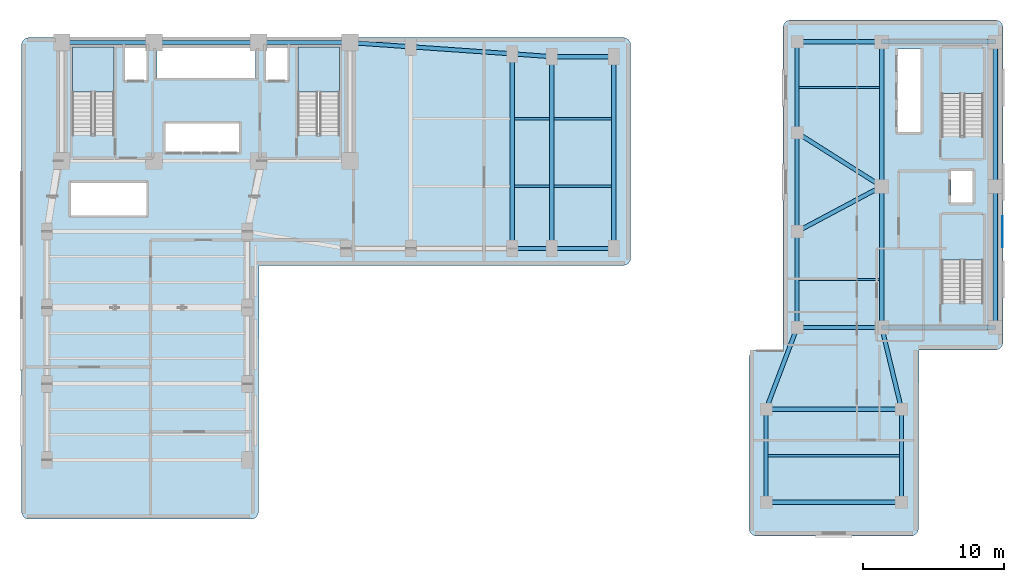
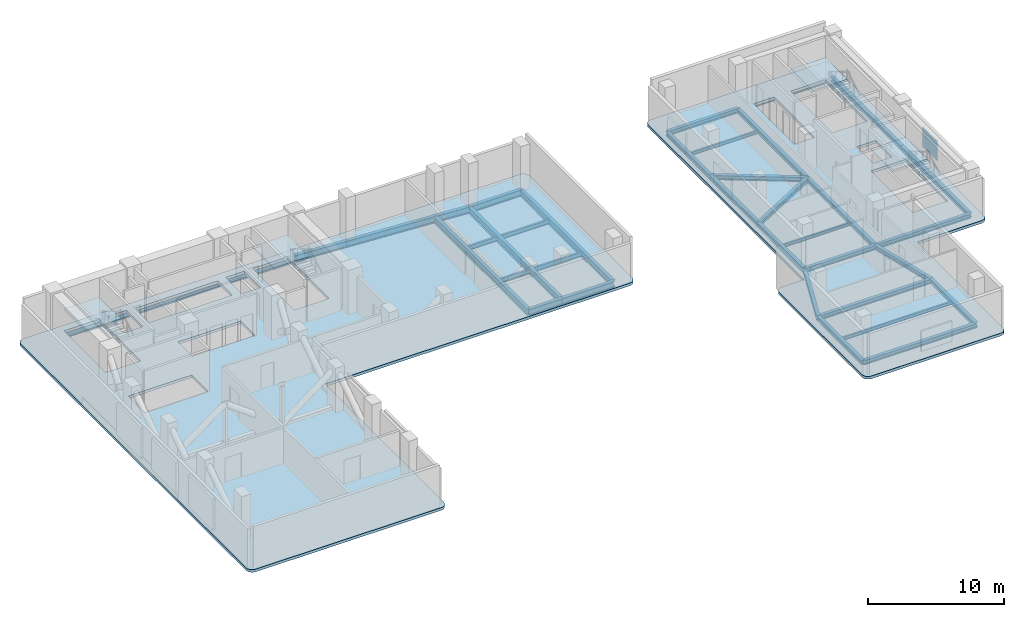
# One storey, part 3 of 9: 38 beams, 6 slabs, 1 plate, 4 elements without a shape of their own.
"""IFC4 building model written with IfcOpenShell, lengths in metres."""

from ifc_helpers import new_model, si_unit, direction, frame, origin, origin_2d, place, context, subcontext, project, spatial, polyline, rectangle, i_section, outline, extrude, material, layer, layer_set, material_profile, profile_set, type_object, element, aggregate, save


model = new_model("IFC4")

# Units and contexts
model_context = context("Model", 3, precision=1e-05, world=origin(), true_north=direction((0.0, 1.0)))
body_context = subcontext(model_context, "Body", "Model", "MODEL_VIEW")
ifc_project = project(units=[si_unit("LENGTHUNIT", "METRE"), si_unit("AREAUNIT", "SQUARE_METRE"), si_unit("VOLUMEUNIT", "CUBIC_METRE"), si_unit("PLANEANGLEUNIT", "RADIAN"), si_unit("MASSUNIT", "GRAM", prefix="KILO")], contexts=[model_context])

# Site, building, storey
site_placement = place(None, origin())
site = spatial("IfcSite", under=ifc_project, at=site_placement, CompositionType="ELEMENT")
building_placement = place(site_placement, origin())
building = spatial("IfcBuilding", under=site, at=building_placement, Name="Kuzgunbayir Cultural Tower", CompositionType="ELEMENT")
storey_placement = place(building_placement, frame((0.0, 0.0, 79.39990234375)))
storey = spatial("IfcBuildingStorey", under=building, at=storey_placement, Name="L22", CompositionType="ELEMENT", Elevation=79.39990234375)

# Beams
ifc_material_1 = material(Name="Steel S355J2", Category="steel")
ifc_material_profile_1 = material_profile(ifc_material_1, i_section(OverallWidth=0.300048828125, OverallDepth=0.39990234375, WebThickness=0.013427734375, FlangeThickness=0.02392578125, FilletRadius=0.027099609375, at=origin_2d()), Name="HEB 400")
ifc_profile_set_1 = profile_set([ifc_material_profile_1], Name="Steel S355J2")
beam_type_1 = type_object("IfcBeamType", Name="BM-EXT-HEB400", PredefinedType="BEAM", material=ifc_profile_set_1)
beam_1_placement = place(storey_placement, frame((58.60009765625, 22.0, -0.43994140625), z_axis=(0.0, 1.0, 0.0), x_axis=(-1.0, 0.0, 0.0)))
element("IfcBeam", 1, at=beam_1_placement, inside=storey, type_object=beam_type_1, Name="L22 Companion West Girder", PredefinedType="BEAM", context=body_context, shape_type="SweptSolid", body=[
    extrude(i_section(OverallWidth=0.300048828125, OverallDepth=0.39990234375, WebThickness=0.013427734375, FlangeThickness=0.02392578125, FilletRadius=0.027099609375, at=origin_2d()), origin(), (0.0, 0.0, 1.0), 6.800048828125),
])
beam_2_placement = place(storey_placement, frame((58.60009765625, 28.800048828125, -0.43994140625), z_axis=(0.0, 1.0, 0.0), x_axis=(-1.0, 0.0, 0.0)))
element("IfcBeam", 2, at=beam_2_placement, inside=storey, type_object=beam_type_1, Name="L22 Companion West Girder", PredefinedType="BEAM", context=body_context, shape_type="SweptSolid", body=[
    extrude(i_section(OverallWidth=0.300048828125, OverallDepth=0.39990234375, WebThickness=0.013427734375, FlangeThickness=0.02392578125, FilletRadius=0.027099609375, at=origin_2d()), origin(), (0.0, 0.0, 1.0), 7.0),
])
beam_3_placement = place(storey_placement, frame((58.60009765625, 35.800048828125, -0.43994140625), z_axis=(0.0, 1.0, 0.0), x_axis=(-1.0, 0.0, 0.0)))
element("IfcBeam", 3, at=beam_3_placement, inside=storey, type_object=beam_type_1, Name="L22 Companion West Girder", PredefinedType="BEAM", context=body_context, shape_type="SweptSolid", body=[
    extrude(i_section(OverallWidth=0.300048828125, OverallDepth=0.39990234375, WebThickness=0.013427734375, FlangeThickness=0.02392578125, FilletRadius=0.027099609375, at=origin_2d()), origin(), (0.0, 0.0, 1.0), 6.449951171875),
])
beam_4_placement = place(storey_placement, frame((56.39990234375, 9.60009765625, -0.43994140625), z_axis=(0.0, 1.0, 0.0), x_axis=(-1.0, 0.0, 0.0)))
element("IfcBeam", 4, at=beam_4_placement, inside=storey, type_object=beam_type_1, Name="L22 Companion Wing B West Girder", PredefinedType="BEAM", context=body_context, shape_type="SweptSolid", body=[
    extrude(i_section(OverallWidth=0.300048828125, OverallDepth=0.39990234375, WebThickness=0.013427734375, FlangeThickness=0.02392578125, FilletRadius=0.027099609375, at=origin_2d()), origin(), (0.0, 0.0, 1.0), 6.599853515625),
])
beam_5_placement = place(storey_placement, frame((56.39990234375, 16.199951171875, -0.43994140625), z_axis=(0.354679148754, 0.93498807556, 0.0), x_axis=(-0.93498807556, 0.354679148754, 0.0)))
element("IfcBeam", 5, at=beam_5_placement, inside=storey, type_object=beam_type_1, Name="L22 Companion Wing B Floor Girder W", PredefinedType="BEAM", context=body_context, shape_type="SweptSolid", body=[
    extrude(i_section(OverallWidth=0.300048828125, OverallDepth=0.39990234375, WebThickness=0.013427734375, FlangeThickness=0.02392578125, FilletRadius=0.027099609375, at=origin_2d()), origin(), (0.0, 0.0, 1.0), 6.203369140625),
])
beam_6_placement = place(storey_placement, frame((66.0, 9.60009765625, -0.43994140625), z_axis=(0.0, 1.0, 0.0), x_axis=(-1.0, 0.0, 0.0)))
element("IfcBeam", 6, at=beam_6_placement, inside=storey, type_object=beam_type_1, Name="L22 Companion Wing B East Girder", PredefinedType="BEAM", context=body_context, shape_type="SweptSolid", body=[
    extrude(i_section(OverallWidth=0.300048828125, OverallDepth=0.39990234375, WebThickness=0.013427734375, FlangeThickness=0.02392578125, FilletRadius=0.027099609375, at=origin_2d()), origin(), (0.0, 0.0, 1.0), 6.599853515625),
])
beam_7_placement = place(storey_placement, frame((66.0, 16.199951171875, -0.43994140625), z_axis=(-0.234623200431, 0.972086392158, 0.0), x_axis=(-0.972086392158, -0.234623200431, 0.0)))
element("IfcBeam", 7, at=beam_7_placement, inside=storey, type_object=beam_type_1, Name="L22 Companion Wing B Floor Girder E", PredefinedType="BEAM", context=body_context, shape_type="SweptSolid", body=[
    extrude(i_section(OverallWidth=0.300048828125, OverallDepth=0.39990234375, WebThickness=0.013427734375, FlangeThickness=0.02392578125, FilletRadius=0.027099609375, at=origin_2d()), origin(), (0.0, 0.0, 1.0), 5.966552734375),
])
beam_8_placement = place(storey_placement, frame((56.39990234375, 9.60009765625, -0.43994140625), z_axis=(1.0, 0.0, 0.0), x_axis=(0.0, 1.0, 0.0)))
element("IfcBeam", 8, at=beam_8_placement, inside=storey, type_object=beam_type_1, Name="L22 Companion Wing B South Girder", PredefinedType="BEAM", context=body_context, shape_type="SweptSolid", body=[
    extrude(i_section(OverallWidth=0.300048828125, OverallDepth=0.39990234375, WebThickness=0.013427734375, FlangeThickness=0.02392578125, FilletRadius=0.027099609375, at=origin_2d()), origin(), (0.0, 0.0, 1.0), 9.60009765625),
])
ifc_material_profile_2 = material_profile(ifc_material_1, i_section(OverallWidth=0.300048828125, OverallDepth=0.60009765625, WebThickness=0.015380859375, FlangeThickness=0.030029296875, FilletRadius=0.027099609375, at=origin_2d()), Name="HEB 600")
ifc_profile_set_2 = profile_set([ifc_material_profile_2], Name="Steel S355J2")
beam_type_2 = type_object("IfcBeamType", Name="BM-EXT-HEB600", PredefinedType="BEAM", material=ifc_profile_set_2)
beam_9_placement = place(storey_placement, frame((26.89990234375, 42.199951171875, -0.539794921875), z_axis=(0.997574369175, -0.069608749203, 0.0), x_axis=(0.069608749203, 0.997574369175, 0.0)))
element("IfcBeam", 9, at=beam_9_placement, inside=storey, type_object=beam_type_2, Name="L22 Wing B North Girder 1", PredefinedType="BEAM", context=body_context, shape_type="SweptSolid", body=[
    extrude(i_section(OverallWidth=0.300048828125, OverallDepth=0.60009765625, WebThickness=0.015380859375, FlangeThickness=0.030029296875, FilletRadius=0.027099609375, at=origin_2d()), origin(), (0.0, 0.0, 1.0), 4.310546875),
])
beam_10_placement = place(storey_placement, frame((31.199951171875, 41.89990234375, -0.539794921875), z_axis=(0.997597388498, -0.069278066245, 0.0), x_axis=(0.069278066245, 0.997597388498, 0.0)))
element("IfcBeam", 10, at=beam_10_placement, inside=storey, type_object=beam_type_2, Name="L22 Wing B North Girder 2", PredefinedType="BEAM", context=body_context, shape_type="SweptSolid", body=[
    extrude(i_section(OverallWidth=0.300048828125, OverallDepth=0.60009765625, WebThickness=0.015380859375, FlangeThickness=0.030029296875, FilletRadius=0.027099609375, at=origin_2d()), origin(), (0.0, 0.0, 1.0), 7.21728515625),
])
beam_11_placement = place(storey_placement, frame((38.39990234375, 27.60009765625, -0.539794921875), z_axis=(1.0, 0.0, 0.0), x_axis=(0.0, 1.0, 0.0)))
element("IfcBeam", 11, at=beam_11_placement, inside=storey, type_object=beam_type_2, Name="L22 Wing B South Girder 3", PredefinedType="BEAM", context=body_context, shape_type="SweptSolid", body=[
    extrude(i_section(OverallWidth=0.300048828125, OverallDepth=0.60009765625, WebThickness=0.015380859375, FlangeThickness=0.030029296875, FilletRadius=0.027099609375, at=origin_2d()), origin(), (0.0, 0.0, 1.0), 2.800048828125),
])
beam_12_placement = place(storey_placement, frame((38.39990234375, 41.39990234375, -0.539794921875), z_axis=(0.997460024076, -0.071228508128, 0.0), x_axis=(0.071228508128, 0.997460024076, 0.0)))
element("IfcBeam", 12, at=beam_12_placement, inside=storey, type_object=beam_type_2, Name="L22 Wing B North Girder 3", PredefinedType="BEAM", context=body_context, shape_type="SweptSolid", body=[
    extrude(i_section(OverallWidth=0.300048828125, OverallDepth=0.60009765625, WebThickness=0.015380859375, FlangeThickness=0.030029296875, FilletRadius=0.027099609375, at=origin_2d()), origin(), (0.0, 0.0, 1.0), 2.80712890625),
])
for number, where, z_axis, x_axis, name in (
    (13, (41.199951171875, 27.60009765625, -0.539794921875), (1.0, 0.0, 0.0), (0.0, 1.0, 0.0), "L22 Wing B South Girder 4"),
    (14, (41.199951171875, 41.199951171875, -0.539794921875), (1.0, 0.0, 0.0), (0.0, 1.0, 0.0), "L22 Wing B North Girder 4"),
):
    element("IfcBeam", number, at=place(storey_placement, frame(where, z_axis=z_axis, x_axis=x_axis)), inside=storey, type_object=beam_type_2, Name=name, PredefinedType="BEAM", context=body_context, shape_type="SweptSolid", body=[
        extrude(i_section(OverallWidth=0.300048828125, OverallDepth=0.60009765625, WebThickness=0.015380859375, FlangeThickness=0.030029296875, FilletRadius=0.027099609375, at=origin_2d()), origin(), (0.0, 0.0, 1.0), 4.400146484375),
    ])
ifc_material_profile_3 = material_profile(ifc_material_1, i_section(OverallWidth=0.300048828125, OverallDepth=0.39990234375, WebThickness=0.013427734375, FlangeThickness=0.02392578125, FilletRadius=0.027099609375, at=origin_2d()), Name="HEB 400")
ifc_profile_set_3 = profile_set([ifc_material_profile_3], Name="Steel S355J2")
beam_type_3 = type_object("IfcBeamType", Name="BM-GIR-HEB400", PredefinedType="BEAM", material=ifc_profile_set_3)
beam_13_placement = place(storey_placement, frame((58.60009765625, 22.0, -0.43994140625), z_axis=(1.0, 0.0, 0.0), x_axis=(0.0, 1.0, 0.0)))
element("IfcBeam", 15, at=beam_13_placement, inside=storey, type_object=beam_type_3, Name="L22 Companion Transverse Girder 1", PredefinedType="BEAM", context=body_context, shape_type="SweptSolid", body=[
    extrude(i_section(OverallWidth=0.300048828125, OverallDepth=0.39990234375, WebThickness=0.013427734375, FlangeThickness=0.02392578125, FilletRadius=0.027099609375, at=origin_2d()), origin(), (0.0, 0.0, 1.0), 6.0),
])
beam_14_placement = place(storey_placement, frame((58.60009765625, 28.800048828125, -0.43994140625), z_axis=(0.882355922736, 0.470582644828, 0.0), x_axis=(-0.470582644828, 0.882355922736, 0.0)))
element("IfcBeam", 16, at=beam_14_placement, inside=storey, type_object=beam_type_3, Name="L22 Companion Transverse Girder 2", PredefinedType="BEAM", context=body_context, shape_type="SweptSolid", body=[
    extrude(i_section(OverallWidth=0.300048828125, OverallDepth=0.39990234375, WebThickness=0.013427734375, FlangeThickness=0.02392578125, FilletRadius=0.027099609375, at=origin_2d()), origin(), (0.0, 0.0, 1.0), 6.800048828125),
])
beam_15_placement = place(storey_placement, frame((58.60009765625, 35.800048828125, -0.43994140625), z_axis=(0.844815967829, -0.535056988088, 0.0), x_axis=(0.535056988088, 0.844815967829, 0.0)))
element("IfcBeam", 17, at=beam_15_placement, inside=storey, type_object=beam_type_3, Name="L22 Companion Transverse Girder 3", PredefinedType="BEAM", context=body_context, shape_type="SweptSolid", body=[
    extrude(i_section(OverallWidth=0.300048828125, OverallDepth=0.39990234375, WebThickness=0.013427734375, FlangeThickness=0.02392578125, FilletRadius=0.027099609375, at=origin_2d()), origin(), (0.0, 0.0, 1.0), 7.10205078125),
])
beam_16_placement = place(storey_placement, frame((58.60009765625, 42.25, -0.43994140625), z_axis=(1.0, 0.0, 0.0), x_axis=(0.0, 1.0, 0.0)))
element("IfcBeam", 18, at=beam_16_placement, inside=storey, type_object=beam_type_3, Name="L22 Companion Transverse Girder 4", PredefinedType="BEAM", context=body_context, shape_type="SweptSolid", body=[
    extrude(i_section(OverallWidth=0.300048828125, OverallDepth=0.39990234375, WebThickness=0.013427734375, FlangeThickness=0.02392578125, FilletRadius=0.027099609375, at=origin_2d()), origin(), (0.0, 0.0, 1.0), 6.0),
])
beam_17_placement = place(storey_placement, frame((64.60009765625, 22.0, -0.43994140625), z_axis=(0.0, 1.0, 0.0), x_axis=(-1.0, 0.0, 0.0)))
element("IfcBeam", 19, at=beam_17_placement, inside=storey, type_object=beam_type_3, Name="L22 Companion Core West Girder 1", PredefinedType="BEAM", context=body_context, shape_type="SweptSolid", body=[
    extrude(i_section(OverallWidth=0.300048828125, OverallDepth=0.39990234375, WebThickness=0.013427734375, FlangeThickness=0.02392578125, FilletRadius=0.027099609375, at=origin_2d()), origin(), (0.0, 0.0, 1.0), 10.0),
])
beam_18_placement = place(storey_placement, frame((64.60009765625, 32.0, -0.43994140625), z_axis=(0.0, 1.0, 0.0), x_axis=(-1.0, 0.0, 0.0)))
element("IfcBeam", 20, at=beam_18_placement, inside=storey, type_object=beam_type_3, Name="L22 Companion Core West Girder 2", PredefinedType="BEAM", context=body_context, shape_type="SweptSolid", body=[
    extrude(i_section(OverallWidth=0.300048828125, OverallDepth=0.39990234375, WebThickness=0.013427734375, FlangeThickness=0.02392578125, FilletRadius=0.027099609375, at=origin_2d()), origin(), (0.0, 0.0, 1.0), 10.25),
])
beam_19_placement = place(storey_placement, frame((72.64990234375, 22.0, -0.43994140625), z_axis=(0.0, 1.0, 0.0), x_axis=(-1.0, 0.0, 0.0)))
element("IfcBeam", 21, at=beam_19_placement, inside=storey, type_object=beam_type_3, Name="L22 Companion Core East Girder 1", PredefinedType="BEAM", context=body_context, shape_type="SweptSolid", body=[
    extrude(i_section(OverallWidth=0.300048828125, OverallDepth=0.39990234375, WebThickness=0.013427734375, FlangeThickness=0.02392578125, FilletRadius=0.027099609375, at=origin_2d()), origin(), (0.0, 0.0, 1.0), 10.0),
])
beam_20_placement = place(storey_placement, frame((72.64990234375, 32.0, -0.43994140625), z_axis=(0.0, 1.0, 0.0), x_axis=(-1.0, 0.0, 0.0)))
element("IfcBeam", 22, at=beam_20_placement, inside=storey, type_object=beam_type_3, Name="L22 Companion Core East Girder 2", PredefinedType="BEAM", context=body_context, shape_type="SweptSolid", body=[
    extrude(i_section(OverallWidth=0.300048828125, OverallDepth=0.39990234375, WebThickness=0.013427734375, FlangeThickness=0.02392578125, FilletRadius=0.027099609375, at=origin_2d()), origin(), (0.0, 0.0, 1.0), 10.25),
])
for number, where, z_axis, x_axis, name in (
    (23, (64.60009765625, 22.0, -0.43994140625), (1.0, 0.0, 0.0), (0.0, 1.0, 0.0), "L22 Companion Core South Girder"),
    (24, (64.60009765625, 42.25, -0.43994140625), (1.0, 0.0, 0.0), (0.0, 1.0, 0.0), "L22 Companion Core North Girder"),
):
    element("IfcBeam", number, at=place(storey_placement, frame(where, z_axis=z_axis, x_axis=x_axis)), inside=storey, type_object=beam_type_3, Name=name, PredefinedType="BEAM", context=body_context, shape_type="SweptSolid", body=[
        extrude(i_section(OverallWidth=0.300048828125, OverallDepth=0.39990234375, WebThickness=0.013427734375, FlangeThickness=0.02392578125, FilletRadius=0.027099609375, at=origin_2d()), origin(), (0.0, 0.0, 1.0), 8.0498046875),
    ])
beam_21_placement = place(storey_placement, frame((56.39990234375, 16.199951171875, -0.43994140625), z_axis=(1.0, 0.0, 0.0), x_axis=(0.0, 1.0, 0.0)))
element("IfcBeam", 25, at=beam_21_placement, inside=storey, type_object=beam_type_3, Name="L22 Companion Wing B Mid Girder", PredefinedType="BEAM", context=body_context, shape_type="SweptSolid", body=[
    extrude(i_section(OverallWidth=0.300048828125, OverallDepth=0.39990234375, WebThickness=0.013427734375, FlangeThickness=0.02392578125, FilletRadius=0.027099609375, at=origin_2d()), origin(), (0.0, 0.0, 1.0), 9.60009765625),
])
ifc_material_profile_4 = material_profile(ifc_material_1, i_section(OverallWidth=0.300048828125, OverallDepth=0.60009765625, WebThickness=0.015380859375, FlangeThickness=0.030029296875, FilletRadius=0.027099609375, at=origin_2d()), Name="HEB 600")
ifc_profile_set_4 = profile_set([ifc_material_profile_4], Name="Steel S355J2")
beam_type_4 = type_object("IfcBeamType", Name="BM-GIR-HEB600", PredefinedType="BEAM", material=ifc_profile_set_4)
beam_22_placement = place(storey_placement, frame((6.449951171875, 42.199951171875, -0.539794921875), z_axis=(1.0, 0.0, 0.0), x_axis=(0.0, 1.0, 0.0)))
element("IfcBeam", 26, at=beam_22_placement, inside=storey, type_object=beam_type_4, Name="L22 Core North Girder 1", PredefinedType="BEAM", context=body_context, shape_type="SweptSolid", body=[
    extrude(i_section(OverallWidth=0.300048828125, OverallDepth=0.60009765625, WebThickness=0.015380859375, FlangeThickness=0.030029296875, FilletRadius=0.027099609375, at=origin_2d()), origin(), (0.0, 0.0, 1.0), 6.550048828125),
])
beam_23_placement = place(storey_placement, frame((13.0, 42.199951171875, -0.539794921875), z_axis=(1.0, 0.0, 0.0), x_axis=(0.0, 1.0, 0.0)))
element("IfcBeam", 27, at=beam_23_placement, inside=storey, type_object=beam_type_4, Name="L22 Core North Girder 2", PredefinedType="BEAM", context=body_context, shape_type="SweptSolid", body=[
    extrude(i_section(OverallWidth=0.300048828125, OverallDepth=0.60009765625, WebThickness=0.015380859375, FlangeThickness=0.030029296875, FilletRadius=0.027099609375, at=origin_2d()), origin(), (0.0, 0.0, 1.0), 7.39990234375),
])
beam_24_placement = place(storey_placement, frame((20.39990234375, 42.199951171875, -0.539794921875), z_axis=(1.0, 0.0, 0.0), x_axis=(0.0, 1.0, 0.0)))
element("IfcBeam", 28, at=beam_24_placement, inside=storey, type_object=beam_type_4, Name="L22 Core North Girder 3", PredefinedType="BEAM", context=body_context, shape_type="SweptSolid", body=[
    extrude(i_section(OverallWidth=0.300048828125, OverallDepth=0.60009765625, WebThickness=0.015380859375, FlangeThickness=0.030029296875, FilletRadius=0.027099609375, at=origin_2d()), origin(), (0.0, 0.0, 1.0), 6.5),
])
beam_25_placement = place(storey_placement, frame((38.39990234375, 27.60009765625, -0.539794921875), z_axis=(0.0, 1.0, 0.0), x_axis=(-1.0, 0.0, 0.0)))
element("IfcBeam", 29, at=beam_25_placement, inside=storey, type_object=beam_type_4, Name="L22 Wing B Cross Girder 38", PredefinedType="BEAM", context=body_context, shape_type="SweptSolid", body=[
    extrude(i_section(OverallWidth=0.300048828125, OverallDepth=0.60009765625, WebThickness=0.015380859375, FlangeThickness=0.030029296875, FilletRadius=0.027099609375, at=origin_2d()), origin(), (0.0, 0.0, 1.0), 13.7998046875),
])
for number, where, z_axis, x_axis, name in (
    (30, (41.199951171875, 27.60009765625, -0.539794921875), (0.0, 1.0, 0.0), (-1.0, 0.0, 0.0), "L22 Wing B Cross Girder 41"),
    (31, (45.60009765625, 27.60009765625, -0.539794921875), (0.0, 1.0, 0.0), (-1.0, 0.0, 0.0), "L22 Wing B Cross Girder 45"),
):
    element("IfcBeam", number, at=place(storey_placement, frame(where, z_axis=z_axis, x_axis=x_axis)), inside=storey, type_object=beam_type_4, Name=name, PredefinedType="BEAM", context=body_context, shape_type="SweptSolid", body=[
        extrude(i_section(OverallWidth=0.300048828125, OverallDepth=0.60009765625, WebThickness=0.015380859375, FlangeThickness=0.030029296875, FilletRadius=0.027099609375, at=origin_2d()), origin(), (0.0, 0.0, 1.0), 13.599853515625),
    ])
ifc_material_profile_5 = material_profile(ifc_material_1, i_section(OverallWidth=0.14990234375, OverallDepth=0.300048828125, WebThickness=0.007080078125, FlangeThickness=0.0107421875, FilletRadius=0.014892578125, at=origin_2d()), Name="IPE 300")
ifc_profile_set_5 = profile_set([ifc_material_profile_5], Name="Steel S355J2")
beam_type_5 = type_object("IfcBeamType", Name="BM-JST-IPE300", PredefinedType="JOIST", material=ifc_profile_set_5)
for number, where, z_axis, x_axis, name in (
    (32, (58.75, 25.39990234375, -0.389892578125), (1.0, 0.0, 0.0), (0.0, 1.0, 0.0), "L22 Companion Joist"),
    (33, (58.75, 39.0, -0.389892578125), (1.0, 0.0, 0.0), (0.0, 1.0, 0.0), "L22 Companion Joist"),
):
    element("IfcBeam", number, at=place(storey_placement, frame(where, z_axis=z_axis, x_axis=x_axis)), inside=storey, type_object=beam_type_5, Name=name, PredefinedType="JOIST", context=body_context, shape_type="SweptSolid", body=[
        extrude(i_section(OverallWidth=0.14990234375, OverallDepth=0.300048828125, WebThickness=0.007080078125, FlangeThickness=0.0107421875, FilletRadius=0.014892578125, at=origin_2d()), origin(), (0.0, 0.0, 1.0), 5.699951171875),
    ])
beam_26_placement = place(storey_placement, frame((56.550048828125, 12.89990234375, -0.389892578125), z_axis=(1.0, 0.0, 0.0), x_axis=(0.0, 1.0, 0.0)))
element("IfcBeam", 34, at=beam_26_placement, inside=storey, type_object=beam_type_5, Name="L22 Companion Wing B Joist", PredefinedType="JOIST", context=body_context, shape_type="SweptSolid", body=[
    extrude(i_section(OverallWidth=0.14990234375, OverallDepth=0.300048828125, WebThickness=0.007080078125, FlangeThickness=0.0107421875, FilletRadius=0.014892578125, at=origin_2d()), origin(), (0.0, 0.0, 1.0), 9.300048828125),
])
ifc_material_profile_6 = material_profile(ifc_material_1, i_section(OverallWidth=0.179931640625, OverallDepth=0.39990234375, WebThickness=0.008544921875, FlangeThickness=0.013427734375, FilletRadius=0.02099609375, at=origin_2d()), Name="IPE 400")
ifc_profile_set_6 = profile_set([ifc_material_profile_6], Name="Steel S355J2")
beam_type_6 = type_object("IfcBeamType", Name="BM-JST-IPE400", PredefinedType="JOIST", material=ifc_profile_set_6)
for number, where, z_axis, x_axis, name in (
    (35, (38.550048828125, 32.0, -0.43994140625), (1.0, 0.0, 0.0), (0.0, 1.0, 0.0), "L22 Wing B Secondary Joist 2.1"),
    (36, (38.550048828125, 36.800048828125, -0.43994140625), (1.0, 0.0, 0.0), (0.0, 1.0, 0.0), "L22 Wing B Secondary Joist 2.2"),
):
    element("IfcBeam", number, at=place(storey_placement, frame(where, z_axis=z_axis, x_axis=x_axis)), inside=storey, type_object=beam_type_6, Name=name, PredefinedType="JOIST", context=body_context, shape_type="SweptSolid", body=[
        extrude(i_section(OverallWidth=0.179931640625, OverallDepth=0.39990234375, WebThickness=0.008544921875, FlangeThickness=0.013427734375, FilletRadius=0.02099609375, at=origin_2d()), origin(), (0.0, 0.0, 1.0), 2.5),
    ])
for number, where, z_axis, x_axis, name in (
    (37, (41.35009765625, 32.0, -0.43994140625), (1.0, 0.0, 0.0), (0.0, 1.0, 0.0), "L22 Wing B Secondary Joist 3.1"),
    (38, (41.35009765625, 36.800048828125, -0.43994140625), (1.0, 0.0, 0.0), (0.0, 1.0, 0.0), "L22 Wing B Secondary Joist 3.2"),
):
    element("IfcBeam", number, at=place(storey_placement, frame(where, z_axis=z_axis, x_axis=x_axis)), inside=storey, type_object=beam_type_6, Name=name, PredefinedType="JOIST", context=body_context, shape_type="SweptSolid", body=[
        extrude(i_section(OverallWidth=0.179931640625, OverallDepth=0.39990234375, WebThickness=0.008544921875, FlangeThickness=0.013427734375, FilletRadius=0.02099609375, at=origin_2d()), origin(), (0.0, 0.0, 1.0), 4.099853515625),
    ])

# Plate
ifc_material_2 = material(Name="Perforated Bronze-Anodised Aluminium", Category="aluminium")
ifc_layer_1 = layer(ifc_material_2, 0.02392578125)
ifc_layer_set_1 = layer_set([ifc_layer_1], Name="Perforated Bronze-Anodised Aluminium")
plate_type = type_object("IfcPlateType", Name="PLT-SOLAR-SCREEN-14", PredefinedType="SHEET", material=ifc_layer_set_1)
plate_placement = place(storey_placement, frame((73.159912109375, 28.800048828125, 0.75), z_axis=(0.0, 0.0, 1.0), x_axis=(1.0, 0.0, 0.0)))
element("IfcPlate", 39, at=plate_placement, inside=storey, type_object=plate_type, Name="L22 Companion Perforated Ceramic Solar Screen Panel", PredefinedType="SHEET", context=body_context, shape_type="SweptSolid", body=[
    extrude(rectangle(XDim=0.02392578125, YDim=2.199951171875, at=origin_2d()), origin(), (0.0, 0.0, 1.0), 1.800048828125),
])

# Stair, slab
ifc_material_3 = material(Name="Concrete C40/50", Category="concrete")
stair_type = type_object("IfcStairType", Name="STR-EXIT-CORE", PredefinedType="HALF_TURN_STAIR", material=ifc_material_3)
stair_1_placement = place(storey_placement, origin())
stair_1 = element("IfcStair", 40, at=stair_1_placement, inside=storey, type_object=stair_type, Name="L22 ST-1", PredefinedType="HALF_TURN_STAIR")
ifc_layer_2 = layer(ifc_material_3, 0.179931640625)
ifc_layer_set_2 = layer_set([ifc_layer_2], Name="Concrete C40/50")
slab_type_1 = type_object("IfcSlabType", Name="SLB-LANDING-180", PredefinedType="LANDING", material=ifc_layer_set_2)
slab_1_placement = place(storey_placement, frame((0.0, 0.0, 1.800048828125)))
slab_1 = element("IfcSlab", 41, at=slab_1_placement, type_object=slab_type_1, Name="ST-1 landing 1", PredefinedType="LANDING", context=body_context, shape_type="SweptSolid", body=[
    extrude(outline(polyline([(10.159912109375, 38.679931640625), (10.159912109375, 41.89990234375), (7.199951171875, 41.89990234375), (7.199951171875, 38.679931640625), (10.159912109375, 38.679931640625)])), origin(), (0.0, 0.0, 1.0), 0.199951171875),
])
aggregate(stair_1, [slab_1])

stair_2_placement = place(storey_placement, origin())
stair_2 = element("IfcStair", 42, at=stair_2_placement, inside=storey, type_object=stair_type, Name="L22 ST-2", PredefinedType="HALF_TURN_STAIR")
slab_2_placement = place(storey_placement, frame((0.0, 0.0, 1.800048828125)))
slab_2 = element("IfcSlab", 43, at=slab_2_placement, type_object=slab_type_1, Name="ST-2 landing 1", PredefinedType="LANDING", context=body_context, shape_type="SweptSolid", body=[
    extrude(outline(polyline([(26.159912109375, 38.679931640625), (26.159912109375, 41.89990234375), (23.199951171875, 41.89990234375), (23.199951171875, 38.679931640625), (26.159912109375, 38.679931640625)])), origin(), (0.0, 0.0, 1.0), 0.199951171875),
])
aggregate(stair_2, [slab_2])

stair_3_placement = place(storey_placement, origin())
stair_3 = element("IfcStair", 44, at=stair_3_placement, inside=storey, type_object=stair_type, Name="L22 ST-3", PredefinedType="HALF_TURN_STAIR")
slab_3_placement = place(storey_placement, frame((0.0, 0.0, 1.800048828125)))
slab_3 = element("IfcSlab", 45, at=slab_3_placement, type_object=slab_type_1, Name="ST-3 landing 1", PredefinedType="LANDING", context=body_context, shape_type="SweptSolid", body=[
    extrude(outline(polyline([(71.800048828125, 26.780029296875), (71.800048828125, 30.0), (68.840087890625, 30.0), (68.840087890625, 26.780029296875), (71.800048828125, 26.780029296875)])), origin(), (0.0, 0.0, 1.0), 0.199951171875),
])
aggregate(stair_3, [slab_3])

stair_4_placement = place(storey_placement, origin())
stair_4 = element("IfcStair", 46, at=stair_4_placement, inside=storey, type_object=stair_type, Name="L22 ST-4", PredefinedType="HALF_TURN_STAIR")
slab_4_placement = place(storey_placement, frame((0.0, 0.0, 1.800048828125)))
slab_4 = element("IfcSlab", 47, at=slab_4_placement, type_object=slab_type_1, Name="ST-4 landing 1", PredefinedType="LANDING", context=body_context, shape_type="SweptSolid", body=[
    extrude(outline(polyline([(71.800048828125, 38.580078125), (71.800048828125, 41.800048828125), (68.840087890625, 41.800048828125), (68.840087890625, 38.580078125), (71.800048828125, 38.580078125)])), origin(), (0.0, 0.0, 1.0), 0.199951171875),
])
aggregate(stair_4, [slab_4])

# Slabs
ifc_layer_3 = layer(ifc_material_3, 0.239990234375)
ifc_layer_set_3 = layer_set([ifc_layer_3], Name="Concrete C40/50")
slab_type_2 = type_object("IfcSlabType", Name="SLB-TRN-240", PredefinedType="FLOOR", material=ifc_layer_set_3)
slab_5_placement = place(storey_placement, frame((0.0, 0.0, -0.239990234375)))
element("IfcSlab", 48, at=slab_5_placement, inside=storey, type_object=slab_type_2, Name="L22 Tower 1 Floor Slab T1-MAIN", PredefinedType="FLOOR", context=body_context, shape_type="SweptSolid", body=[
    extrude(outline(polyline([(20.39990234375, 8.949951171875), (20.389892578125, 8.840087890625), (20.360107421875, 8.739990234375), (20.31005859375, 8.639892578125), (20.239990234375, 8.56005859375), (20.159912109375, 8.489990234375), (20.06005859375, 8.43994140625), (19.9599609375, 8.409912109375), (19.85009765625, 8.39990234375), (4.14990234375, 8.39990234375), (4.0400390625, 8.409912109375), (3.93994140625, 8.43994140625), (3.840087890625, 8.489990234375), (3.760009765625, 8.56005859375), (3.68994140625, 8.639892578125), (3.639892578125, 8.739990234375), (3.610107421875, 8.840087890625), (3.60009765625, 8.949951171875), (3.60009765625, 42.0), (3.610107421875, 42.110107421875), (3.639892578125, 42.2099609375), (3.68994140625, 42.31005859375), (3.760009765625, 42.389892578125), (3.840087890625, 42.4599609375), (3.93994140625, 42.510009765625), (4.0400390625, 42.5400390625), (4.14990234375, 42.550048828125), (46.25, 42.550048828125), (46.360107421875, 42.5400390625), (46.4599609375, 42.510009765625), (46.56005859375, 42.4599609375), (46.639892578125, 42.389892578125), (46.7099609375, 42.31005859375), (46.760009765625, 42.2099609375), (46.7900390625, 42.110107421875), (46.800048828125, 42.0), (46.800048828125, 26.949951171875), (46.7900390625, 26.840087890625), (46.760009765625, 26.739990234375), (46.7099609375, 26.639892578125), (46.639892578125, 26.56005859375), (46.56005859375, 26.489990234375), (46.4599609375, 26.43994140625), (46.360107421875, 26.409912109375), (46.25, 26.39990234375), (20.429931640625, 26.39990234375), (20.39990234375, 8.949951171875)]), holes=[polyline([(7.199951171875, 35.760009765625), (7.199951171875, 41.89990234375), (10.159912109375, 41.89990234375), (10.159912109375, 35.760009765625), (7.199951171875, 35.760009765625)]), polyline([(23.199951171875, 35.760009765625), (23.199951171875, 41.89990234375), (26.159912109375, 41.89990234375), (26.159912109375, 35.760009765625), (23.199951171875, 35.760009765625)]), polyline([(13.199951171875, 39.699951171875), (13.199951171875, 41.800048828125), (20.199951171875, 41.800048828125), (20.199951171875, 39.699951171875), (13.199951171875, 39.699951171875)]), polyline([(13.75, 34.39990234375), (13.75, 36.5), (19.080078125, 36.5), (19.080078125, 34.39990234375), (13.75, 34.39990234375)]), polyline([(7.10009765625, 29.89990234375), (7.10009765625, 32.300048828125), (12.5, 32.300048828125), (12.5, 29.89990234375), (7.10009765625, 29.89990234375)]), polyline([(10.89990234375, 39.5), (10.89990234375, 41.89990234375), (12.5, 41.89990234375), (12.5, 39.5), (10.89990234375, 39.5)]), polyline([(20.89990234375, 39.5), (20.89990234375, 41.89990234375), (22.5, 41.89990234375), (22.5, 39.5), (20.89990234375, 39.5)])]), origin(), (0.0, 0.0, 1.0), 0.239990234375),
])
slab_6_placement = place(storey_placement, frame((0.0, 0.0, -0.239990234375)))
element("IfcSlab", 49, at=slab_6_placement, inside=storey, type_object=slab_type_2, Name="L22 Companion Tower 2 Floor Slab", PredefinedType="FLOOR", context=body_context, shape_type="SweptSolid", body=[
    extrude(outline(polyline([(57.60009765625, 20.39990234375), (57.60009765625, 43.25), (57.610107421875, 43.360107421875), (57.639892578125, 43.4599609375), (57.68994140625, 43.56005859375), (57.760009765625, 43.639892578125), (57.840087890625, 43.7099609375), (57.93994140625, 43.760009765625), (58.0400390625, 43.7900390625), (58.14990234375, 43.800048828125), (72.64990234375, 43.800048828125), (72.760009765625, 43.7900390625), (72.860107421875, 43.760009765625), (72.9599609375, 43.7099609375), (73.0400390625, 43.639892578125), (73.110107421875, 43.56005859375), (73.159912109375, 43.4599609375), (73.18994140625, 43.360107421875), (73.199951171875, 43.25), (73.199951171875, 20.949951171875), (73.18994140625, 20.840087890625), (73.159912109375, 20.739990234375), (73.110107421875, 20.639892578125), (73.0400390625, 20.56005859375), (72.9599609375, 20.489990234375), (72.860107421875, 20.43994140625), (72.760009765625, 20.409912109375), (72.64990234375, 20.39990234375), (67.22998046875, 20.39990234375), (67.199951171875, 7.75), (67.18994140625, 7.639892578125), (67.159912109375, 7.5400390625), (67.110107421875, 7.43994140625), (67.0400390625, 7.360107421875), (66.9599609375, 7.2900390625), (66.860107421875, 7.239990234375), (66.760009765625, 7.2099609375), (66.64990234375, 7.199951171875), (55.75, 7.199951171875), (55.639892578125, 7.2099609375), (55.5400390625, 7.239990234375), (55.43994140625, 7.2900390625), (55.360107421875, 7.360107421875), (55.2900390625, 7.43994140625), (55.239990234375, 7.5400390625), (55.2099609375, 7.639892578125), (55.199951171875, 7.75), (55.199951171875, 19.85009765625), (55.2099609375, 19.9599609375), (55.239990234375, 20.06005859375), (55.2900390625, 20.159912109375), (55.360107421875, 20.239990234375), (55.43994140625, 20.31005859375), (55.5400390625, 20.360107421875), (55.639892578125, 20.389892578125), (55.75, 20.39990234375), (57.570068359375, 20.39990234375), (57.60009765625, 20.39990234375)]), holes=[polyline([(68.840087890625, 23.860107421875), (68.840087890625, 30.0), (71.800048828125, 30.0), (71.800048828125, 23.860107421875), (68.840087890625, 23.860107421875)]), polyline([(68.840087890625, 35.659912109375), (68.840087890625, 41.800048828125), (71.800048828125, 41.800048828125), (71.800048828125, 35.659912109375), (68.840087890625, 35.659912109375)]), polyline([(65.699951171875, 35.800048828125), (65.699951171875, 41.75), (67.39990234375, 41.75), (67.39990234375, 35.800048828125), (65.699951171875, 35.800048828125)]), polyline([(69.5, 30.800048828125), (69.5, 33.199951171875), (71.10009765625, 33.199951171875), (71.10009765625, 30.800048828125), (69.5, 30.800048828125)])]), origin(), (0.0, 0.0, 1.0), 0.239990234375),
])

save(model, "model.ifc")
